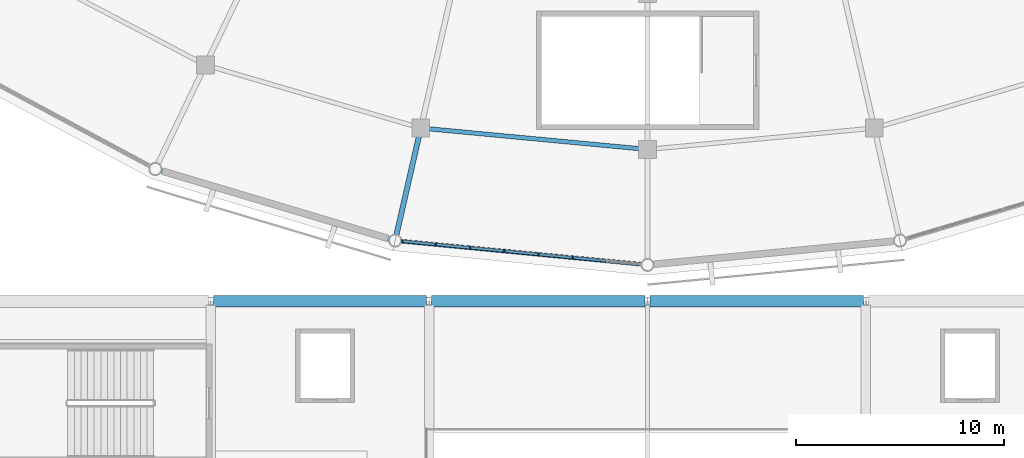
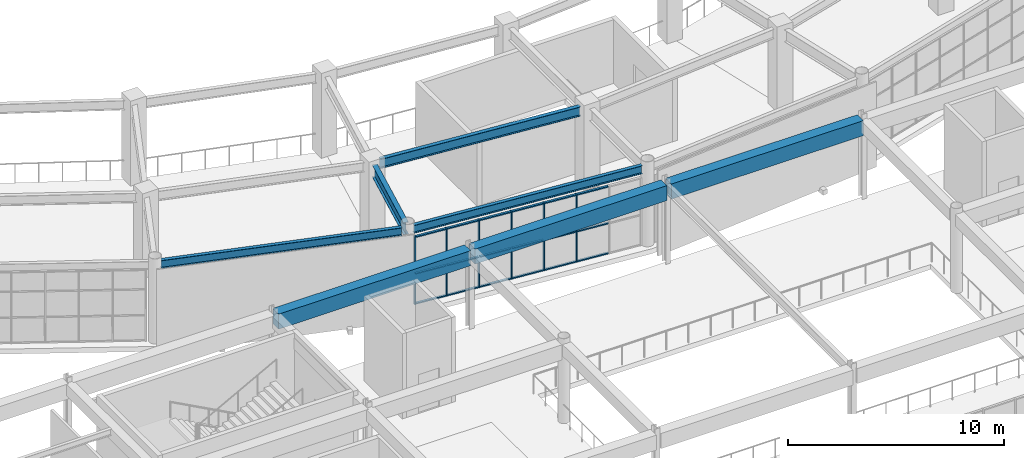
# One storey, part 27 of 112: 24 members, 7 beams, 1 element without a shape of its own.
"""IFC4 building model written with IfcOpenShell, lengths in metres."""

from ifc_helpers import new_model, si_unit, direction, frame, origin, origin_2d, place, context, subcontext, project, spatial, rectangle, i_section, extrude, material, material_profile, profile_set, type_object, element, aggregate, save


model = new_model("IFC4")

# Units and contexts
model_context = context("Model", 3, precision=1e-05, world=origin(), true_north=direction((0.0, 1.0)))
body_context = subcontext(model_context, "Body", "Model", "MODEL_VIEW")
ifc_project = project(units=[si_unit("LENGTHUNIT", "METRE"), si_unit("AREAUNIT", "SQUARE_METRE"), si_unit("VOLUMEUNIT", "CUBIC_METRE"), si_unit("PLANEANGLEUNIT", "RADIAN"), si_unit("MASSUNIT", "GRAM", prefix="KILO")], contexts=[model_context])

# Site, building, storey
site_placement = place(None, origin())
site = spatial("IfcSite", under=ifc_project, at=site_placement, CompositionType="ELEMENT")
building_placement = place(site_placement, origin())
building = spatial("IfcBuilding", under=site, at=building_placement, Name="Cuetzalor Civic Arena", CompositionType="ELEMENT")
storey_placement = place(building_placement, frame((0.0, 0.0, 11.39990234375)))
storey = spatial("IfcBuildingStorey", under=building, at=storey_placement, Name="L02", CompositionType="ELEMENT", Elevation=11.39990234375)

# Beams
ifc_material_1 = material(Name="Concrete C40/50", Category="concrete")
ifc_material_profile_1 = material_profile(ifc_material_1, rectangle(XDim=0.550048828125, YDim=0.85009765625, at=origin_2d()), Name="RC 550x850")
ifc_profile_set_1 = profile_set([ifc_material_profile_1], Name="Concrete C40/50")
beam_type_1 = type_object("IfcBeamType", Name="ConcreteFrameBeam_550x850", PredefinedType="BEAM", material=ifc_profile_set_1)
for number, where, z_axis, x_axis, name in (
    (1, (-20.881591796875, -48.300048828125, 4.09521484375), (1.0, 0.0, 0.0), (0.0, 1.0, 0.0), "Frame Girder V3-L02-X0595"),
    (2, (-10.381591796875, -48.300048828125, 4.09521484375), (1.0, 0.0, 0.0), (0.0, 1.0, 0.0), "Frame Girder V3-L02-X0596"),
    (3, (0.118408203125, -48.300048828125, 4.09521484375), (1.0, 0.0, 0.0), (0.0, 1.0, 0.0), "Frame Girder V3-L02-X0597"),
):
    element("IfcBeam", number, at=place(storey_placement, frame(where, z_axis=z_axis, x_axis=x_axis)), inside=storey, type_object=beam_type_1, Name=name, PredefinedType="BEAM", context=body_context, shape_type="SweptSolid", body=[
        extrude(rectangle(XDim=0.550048828125, YDim=0.85009765625, at=origin_2d()), origin(), (0.0, 0.0, 1.0), 10.26318359375),
    ])

# Curtain wall, members
ifc_material_2 = material(Name="Anodised dark bronze aluminium and low-E solar glass", Category="aluminium")
curtain_wall_type = type_object("IfcCurtainWallType", Name="UnitisedCW_11550x3850", PredefinedType="USERDEFINED", material=ifc_material_2)
curtain_wall_placement = place(storey_placement, origin())
curtain_wall = element("IfcCurtainWall", 4, at=curtain_wall_placement, inside=storey, type_object=curtain_wall_type, Name="Drum Triangle Foyer Curtain Wall L02-041", ObjectType="UNITISED CURTAIN WALL", PredefinedType="USERDEFINED")
ifc_material_3 = material(Name="Anodised dark bronze aluminium", Category="aluminium")
ifc_material_profile_2 = material_profile(ifc_material_3, rectangle(XDim=0.06494140625, YDim=0.14990234375, at=origin_2d()), Name="ALU MULLION 65x150")
ifc_profile_set_2 = profile_set([ifc_material_profile_2], Name="Anodised dark bronze aluminium")
member_type_1 = type_object("IfcMemberType", Name="CurtainWallMullion_60x150", PredefinedType="MULLION", material=ifc_profile_set_2)
member_1_placement = place(storey_placement, frame((-3.602294921875, -46.20361328125, 0.0), z_axis=(0.0, 0.0, 1.0), x_axis=(-0.995409139996, 0.095711253324, 0.0)))
member_1 = element("IfcMember", 5, at=member_1_placement, type_object=member_type_1, Name="CW-14 mullion 3", PredefinedType="MULLION", context=body_context, shape_type="SweptSolid", body=[
    extrude(rectangle(XDim=0.06494140625, YDim=0.14990234375, at=origin_2d()), origin(), (0.0, 0.0, 1.0), 3.83203125),
])
member_2_placement = place(storey_placement, frame((-5.2470703125, -46.04541015625, 0.0), z_axis=(0.0, 0.0, 1.0), x_axis=(-0.995409139996, 0.095711253324, 0.0)))
member_2 = element("IfcMember", 6, at=member_2_placement, type_object=member_type_1, Name="CW-14 mullion 4", PredefinedType="MULLION", context=body_context, shape_type="SweptSolid", body=[
    extrude(rectangle(XDim=0.06494140625, YDim=0.14990234375, at=origin_2d()), origin(), (0.0, 0.0, 1.0), 3.83203125),
])
member_3_placement = place(storey_placement, frame((-6.8916015625, -45.887451171875, 0.0), z_axis=(0.0, 0.0, 1.0), x_axis=(-0.995409139996, 0.095711253324, 0.0)))
member_3 = element("IfcMember", 7, at=member_3_placement, type_object=member_type_1, Name="CW-14 mullion 5", PredefinedType="MULLION", context=body_context, shape_type="SweptSolid", body=[
    extrude(rectangle(XDim=0.06494140625, YDim=0.14990234375, at=origin_2d()), origin(), (0.0, 0.0, 1.0), 3.83203125),
])
member_4_placement = place(storey_placement, frame((-8.5361328125, -45.729248046875, 0.0), z_axis=(0.0, 0.0, 1.0), x_axis=(-0.995409139996, 0.095711253324, 0.0)))
member_4 = element("IfcMember", 8, at=member_4_placement, type_object=member_type_1, Name="CW-14 mullion 6", PredefinedType="MULLION", context=body_context, shape_type="SweptSolid", body=[
    extrude(rectangle(XDim=0.06494140625, YDim=0.14990234375, at=origin_2d()), origin(), (0.0, 0.0, 1.0), 3.83203125),
])
member_5_placement = place(storey_placement, frame((-10.1806640625, -45.571044921875, 0.0), z_axis=(0.0, 0.0, 1.0), x_axis=(-0.995409139996, 0.095711253324, 0.0)))
member_5 = element("IfcMember", 9, at=member_5_placement, type_object=member_type_1, Name="CW-14 mullion 7", PredefinedType="MULLION", context=body_context, shape_type="SweptSolid", body=[
    extrude(rectangle(XDim=0.06494140625, YDim=0.14990234375, at=origin_2d()), origin(), (0.0, 0.0, 1.0), 3.83203125),
])
member_6_placement = place(storey_placement, frame((-11.79296875, -45.416015625, 0.0), z_axis=(0.0, 0.0, 1.0), x_axis=(-0.995409139996, 0.095711253324, 0.0)))
member_6 = element("IfcMember", 10, at=member_6_placement, type_object=member_type_1, Name="CW-14 mullion 8", PredefinedType="MULLION", context=body_context, shape_type="SweptSolid", body=[
    extrude(rectangle(XDim=0.06494140625, YDim=0.14990234375, at=origin_2d()), origin(), (0.0, 0.0, 1.0), 3.83203125),
])
ifc_material_4 = material(Name="Anodised dark bronze aluminium", Category="aluminium")
ifc_material_profile_3 = material_profile(ifc_material_4, rectangle(XDim=0.1201171875, YDim=0.06494140625, at=origin_2d()), Name="ALU TRANSOM 65x120")
ifc_profile_set_3 = profile_set([ifc_material_profile_3], Name="Anodised dark bronze aluminium")
member_type_2 = type_object("IfcMemberType", Name="CurtainWallTransom_60x120", PredefinedType="USERDEFINED", material=ifc_profile_set_3)
member_7_placement = place(storey_placement, frame((-1.990234375, -46.358642578125, 0.03271484375), z_axis=(-0.995412128785, 0.095680164442, 0.0), x_axis=(-0.095680164442, -0.995412128785, 0.0)))
member_7 = element("IfcMember", 11, at=member_7_placement, type_object=member_type_2, Name="CW-14 transom 2.1", ObjectType="TRANSOM", PredefinedType="USERDEFINED", context=body_context, shape_type="SweptSolid", body=[
    extrude(rectangle(XDim=0.1201171875, YDim=0.06494140625, at=origin_2d()), origin(), (0.0, 0.0, 1.0), 1.587158203125),
])
member_8_placement = place(storey_placement, frame((-1.990234375, -46.358642578125, 1.72412109375), z_axis=(-0.995412128785, 0.095680164442, 0.0), x_axis=(-0.095680164442, -0.995412128785, 0.0)))
member_8 = element("IfcMember", 12, at=member_8_placement, type_object=member_type_2, Name="CW-14 transom 2.2", ObjectType="TRANSOM", PredefinedType="USERDEFINED", context=body_context, shape_type="SweptSolid", body=[
    extrude(rectangle(XDim=0.1201171875, YDim=0.06494140625, at=origin_2d()), origin(), (0.0, 0.0, 1.0), 1.587158203125),
])
member_9_placement = place(storey_placement, frame((-1.990234375, -46.358642578125, 3.799560546875), z_axis=(-0.995412128785, 0.095680164442, 0.0), x_axis=(-0.095680164442, -0.995412128785, 0.0)))
member_9 = element("IfcMember", 13, at=member_9_placement, type_object=member_type_2, Name="CW-14 transom 2.3", ObjectType="TRANSOM", PredefinedType="USERDEFINED", context=body_context, shape_type="SweptSolid", body=[
    extrude(rectangle(XDim=0.1201171875, YDim=0.06494140625, at=origin_2d()), origin(), (0.0, 0.0, 1.0), 1.587158203125),
])
member_10_placement = place(storey_placement, frame((-3.634765625, -46.200439453125, 0.03271484375), z_axis=(-0.995412128785, 0.095680164442, 0.0), x_axis=(-0.095680164442, -0.995412128785, 0.0)))
member_10 = element("IfcMember", 14, at=member_10_placement, type_object=member_type_2, Name="CW-14 transom 3.1", ObjectType="TRANSOM", PredefinedType="USERDEFINED", context=body_context, shape_type="SweptSolid", body=[
    extrude(rectangle(XDim=0.1201171875, YDim=0.06494140625, at=origin_2d()), origin(), (0.0, 0.0, 1.0), 1.587158203125),
])
member_11_placement = place(storey_placement, frame((-3.634765625, -46.200439453125, 1.72412109375), z_axis=(-0.995412128785, 0.095680164442, 0.0), x_axis=(-0.095680164442, -0.995412128785, 0.0)))
member_11 = element("IfcMember", 15, at=member_11_placement, type_object=member_type_2, Name="CW-14 transom 3.2", ObjectType="TRANSOM", PredefinedType="USERDEFINED", context=body_context, shape_type="SweptSolid", body=[
    extrude(rectangle(XDim=0.1201171875, YDim=0.06494140625, at=origin_2d()), origin(), (0.0, 0.0, 1.0), 1.587158203125),
])
member_12_placement = place(storey_placement, frame((-3.634765625, -46.200439453125, 3.799560546875), z_axis=(-0.995412128785, 0.095680164442, 0.0), x_axis=(-0.095680164442, -0.995412128785, 0.0)))
member_12 = element("IfcMember", 16, at=member_12_placement, type_object=member_type_2, Name="CW-14 transom 3.3", ObjectType="TRANSOM", PredefinedType="USERDEFINED", context=body_context, shape_type="SweptSolid", body=[
    extrude(rectangle(XDim=0.1201171875, YDim=0.06494140625, at=origin_2d()), origin(), (0.0, 0.0, 1.0), 1.587158203125),
])
member_13_placement = place(storey_placement, frame((-5.279296875, -46.04248046875, 0.03271484375), z_axis=(-0.9953974667, 0.095832579471, 0.0), x_axis=(-0.095832579471, -0.9953974667, 0.0)))
member_13 = element("IfcMember", 17, at=member_13_placement, type_object=member_type_2, Name="CW-14 transom 4.1", ObjectType="TRANSOM", PredefinedType="USERDEFINED", context=body_context, shape_type="SweptSolid", body=[
    extrude(rectangle(XDim=0.1201171875, YDim=0.06494140625, at=origin_2d()), origin(), (0.0, 0.0, 1.0), 1.587158203125),
])
member_14_placement = place(storey_placement, frame((-5.279296875, -46.04248046875, 1.72412109375), z_axis=(-0.9953974667, 0.095832579471, 0.0), x_axis=(-0.095832579471, -0.9953974667, 0.0)))
member_14 = element("IfcMember", 18, at=member_14_placement, type_object=member_type_2, Name="CW-14 transom 4.2", ObjectType="TRANSOM", PredefinedType="USERDEFINED", context=body_context, shape_type="SweptSolid", body=[
    extrude(rectangle(XDim=0.1201171875, YDim=0.06494140625, at=origin_2d()), origin(), (0.0, 0.0, 1.0), 1.587158203125),
])
member_15_placement = place(storey_placement, frame((-5.279296875, -46.04248046875, 3.799560546875), z_axis=(-0.9953974667, 0.095832579471, 0.0), x_axis=(-0.095832579471, -0.9953974667, 0.0)))
member_15 = element("IfcMember", 19, at=member_15_placement, type_object=member_type_2, Name="CW-14 transom 4.3", ObjectType="TRANSOM", PredefinedType="USERDEFINED", context=body_context, shape_type="SweptSolid", body=[
    extrude(rectangle(XDim=0.1201171875, YDim=0.06494140625, at=origin_2d()), origin(), (0.0, 0.0, 1.0), 1.587158203125),
])
member_16_placement = place(storey_placement, frame((-6.923828125, -45.88427734375, 0.03271484375), z_axis=(-0.995412128785, 0.095680164442, 0.0), x_axis=(-0.095680164442, -0.995412128785, 0.0)))
member_16 = element("IfcMember", 20, at=member_16_placement, type_object=member_type_2, Name="CW-14 transom 5.1", ObjectType="TRANSOM", PredefinedType="USERDEFINED", context=body_context, shape_type="SweptSolid", body=[
    extrude(rectangle(XDim=0.1201171875, YDim=0.06494140625, at=origin_2d()), origin(), (0.0, 0.0, 1.0), 1.587158203125),
])
member_17_placement = place(storey_placement, frame((-6.923828125, -45.88427734375, 1.72412109375), z_axis=(-0.995412128785, 0.095680164442, 0.0), x_axis=(-0.095680164442, -0.995412128785, 0.0)))
member_17 = element("IfcMember", 21, at=member_17_placement, type_object=member_type_2, Name="CW-14 transom 5.2", ObjectType="TRANSOM", PredefinedType="USERDEFINED", context=body_context, shape_type="SweptSolid", body=[
    extrude(rectangle(XDim=0.1201171875, YDim=0.06494140625, at=origin_2d()), origin(), (0.0, 0.0, 1.0), 1.587158203125),
])
member_18_placement = place(storey_placement, frame((-6.923828125, -45.88427734375, 3.799560546875), z_axis=(-0.995412128785, 0.095680164442, 0.0), x_axis=(-0.095680164442, -0.995412128785, 0.0)))
member_18 = element("IfcMember", 22, at=member_18_placement, type_object=member_type_2, Name="CW-14 transom 5.3", ObjectType="TRANSOM", PredefinedType="USERDEFINED", context=body_context, shape_type="SweptSolid", body=[
    extrude(rectangle(XDim=0.1201171875, YDim=0.06494140625, at=origin_2d()), origin(), (0.0, 0.0, 1.0), 1.587158203125),
])
member_19_placement = place(storey_placement, frame((-8.568359375, -45.72607421875, 0.03271484375), z_axis=(-0.995412128785, 0.095680164442, 0.0), x_axis=(-0.095680164442, -0.995412128785, 0.0)))
member_19 = element("IfcMember", 23, at=member_19_placement, type_object=member_type_2, Name="CW-14 transom 6.1", ObjectType="TRANSOM", PredefinedType="USERDEFINED", context=body_context, shape_type="SweptSolid", body=[
    extrude(rectangle(XDim=0.1201171875, YDim=0.06494140625, at=origin_2d()), origin(), (0.0, 0.0, 1.0), 1.587158203125),
])
member_20_placement = place(storey_placement, frame((-8.568359375, -45.72607421875, 1.72412109375), z_axis=(-0.995412128785, 0.095680164442, 0.0), x_axis=(-0.095680164442, -0.995412128785, 0.0)))
member_20 = element("IfcMember", 24, at=member_20_placement, type_object=member_type_2, Name="CW-14 transom 6.2", ObjectType="TRANSOM", PredefinedType="USERDEFINED", context=body_context, shape_type="SweptSolid", body=[
    extrude(rectangle(XDim=0.1201171875, YDim=0.06494140625, at=origin_2d()), origin(), (0.0, 0.0, 1.0), 1.587158203125),
])
member_21_placement = place(storey_placement, frame((-8.568359375, -45.72607421875, 3.799560546875), z_axis=(-0.995412128785, 0.095680164442, 0.0), x_axis=(-0.095680164442, -0.995412128785, 0.0)))
member_21 = element("IfcMember", 25, at=member_21_placement, type_object=member_type_2, Name="CW-14 transom 6.3", ObjectType="TRANSOM", PredefinedType="USERDEFINED", context=body_context, shape_type="SweptSolid", body=[
    extrude(rectangle(XDim=0.1201171875, YDim=0.06494140625, at=origin_2d()), origin(), (0.0, 0.0, 1.0), 1.587158203125),
])
member_22_placement = place(storey_placement, frame((-10.212890625, -45.568115234375, 0.03271484375), z_axis=(-0.995401833719, 0.095787209113, 0.0), x_axis=(-0.095787209113, -0.995401833719, 0.0)))
member_22 = element("IfcMember", 26, at=member_22_placement, type_object=member_type_2, Name="CW-14 transom 7.1", ObjectType="TRANSOM", PredefinedType="USERDEFINED", context=body_context, shape_type="SweptSolid", body=[
    extrude(rectangle(XDim=0.1201171875, YDim=0.06494140625, at=origin_2d()), origin(), (0.0, 0.0, 1.0), 1.5546875),
])
member_23_placement = place(storey_placement, frame((-10.212890625, -45.568115234375, 1.72412109375), z_axis=(-0.995401833719, 0.095787209113, 0.0), x_axis=(-0.095787209113, -0.995401833719, 0.0)))
member_23 = element("IfcMember", 27, at=member_23_placement, type_object=member_type_2, Name="CW-14 transom 7.2", ObjectType="TRANSOM", PredefinedType="USERDEFINED", context=body_context, shape_type="SweptSolid", body=[
    extrude(rectangle(XDim=0.1201171875, YDim=0.06494140625, at=origin_2d()), origin(), (0.0, 0.0, 1.0), 1.5546875),
])
member_24_placement = place(storey_placement, frame((-10.212890625, -45.568115234375, 3.799560546875), z_axis=(-0.995401833719, 0.095787209113, 0.0), x_axis=(-0.095787209113, -0.995401833719, 0.0)))
member_24 = element("IfcMember", 28, at=member_24_placement, type_object=member_type_2, Name="CW-14 transom 7.3", ObjectType="TRANSOM", PredefinedType="USERDEFINED", context=body_context, shape_type="SweptSolid", body=[
    extrude(rectangle(XDim=0.1201171875, YDim=0.06494140625, at=origin_2d()), origin(), (0.0, 0.0, 1.0), 1.5546875),
])
aggregate(curtain_wall, [member_1, member_2, member_3, member_4, member_5, member_6, member_7, member_8, member_9, member_10, member_11, member_12, member_13, member_14, member_15, member_16, member_17, member_18, member_19, member_20, member_21, member_22, member_23, member_24])

# Beams
ifc_material_5 = material(Name="Steel S355", Category="steel")
ifc_material_profile_4 = material_profile(ifc_material_5, i_section(OverallWidth=0.18994140625, OverallDepth=0.45703125, WebThickness=0.009033203125, FlangeThickness=0.014404296875, at=origin_2d()), Name="W460x74")
ifc_profile_set_4 = profile_set([ifc_material_profile_4], Name="Steel S355")
beam_type_2 = type_object("IfcBeamType", Name="FacadeSpandrelBeam_W460", PredefinedType="SPANDREL", material=ifc_profile_set_4)
beam_1_placement = place(storey_placement, frame((-23.390380859375, -42.023193359375, 4.29150390625), z_axis=(0.958199215373, -0.28610184141, 0.0), x_axis=(0.28610184141, 0.958199215373, 0.0)))
element("IfcBeam", 29, at=beam_1_placement, inside=storey, type_object=beam_type_2, Name="Drum Perimeter Spandrel L02-S20", PredefinedType="SPANDREL", context=body_context, shape_type="SweptSolid", body=[
    extrude(i_section(OverallWidth=0.18994140625, OverallDepth=0.45703125, WebThickness=0.009033203125, FlangeThickness=0.014404296875, at=origin_2d()), origin(), (0.0, 0.0, 1.0), 11.45263671875),
])
beam_2_placement = place(storey_placement, frame((-11.849853515625, -45.41064453125, 4.29150390625), z_axis=(0.995409568272, -0.095706799095, 0.0), x_axis=(0.095706799095, 0.995409568272, 0.0)))
element("IfcBeam", 30, at=beam_2_placement, inside=storey, type_object=beam_type_2, Name="Drum Perimeter Spandrel L02-S21", PredefinedType="SPANDREL", context=body_context, shape_type="SweptSolid", body=[
    extrude(i_section(OverallWidth=0.18994140625, OverallDepth=0.45703125, WebThickness=0.009033203125, FlangeThickness=0.014404296875, at=origin_2d()), origin(), (0.0, 0.0, 1.0), 11.6142578125),
])
ifc_material_6 = material(Name="Steel S355", Category="steel")
ifc_material_profile_5 = material_profile(ifc_material_6, i_section(OverallWidth=0.208984375, OverallDepth=0.532958984375, WebThickness=0.01025390625, FlangeThickness=0.015625, at=origin_2d()), Name="W530x92")
ifc_profile_set_5 = profile_set([ifc_material_profile_5], Name="Steel S355")
beam_type_3 = type_object("IfcBeamType", Name="SteelCollarGirder_W530", PredefinedType="BEAM", material=ifc_profile_set_5)
beam_3_placement = place(storey_placement, frame((-10.53515625, -40.006591796875, 4.253662109375), z_axis=(0.995583045118, -0.093885037538, 0.0), x_axis=(0.093885037538, 0.995583045118, 0.0)))
element("IfcBeam", 31, at=beam_3_placement, inside=storey, type_object=beam_type_3, Name="Drum Concourse Ring Girder L02-S21", PredefinedType="BEAM", context=body_context, shape_type="SweptSolid", body=[
    extrude(i_section(OverallWidth=0.208984375, OverallDepth=0.532958984375, WebThickness=0.01025390625, FlangeThickness=0.015625, at=origin_2d()), origin(), (0.0, 0.0, 1.0), 10.2119140625),
])
ifc_material_7 = material(Name="Steel S355", Category="steel")
ifc_material_profile_6 = material_profile(ifc_material_7, i_section(OverallWidth=0.2529296875, OverallDepth=0.677978515625, WebThickness=0.01171875, FlangeThickness=0.016357421875, at=origin_2d()), Name="W690x125")
ifc_profile_set_6 = profile_set([ifc_material_profile_6], Name="Steel S355")
beam_type_4 = type_object("IfcBeamType", Name="SteelPrimaryGirder_W690", PredefinedType="BEAM", material=ifc_profile_set_6)
beam_4_placement = place(storey_placement, frame((-10.983642578125, -40.322998046875, 4.18115234375), z_axis=(-0.222519036633, -0.974928345231, 0.0), x_axis=(0.974928345231, -0.222519036633, 0.0)))
element("IfcBeam", 32, at=beam_4_placement, inside=storey, type_object=beam_type_4, Name="Drum Radial Girder L02-R21", PredefinedType="BEAM", context=body_context, shape_type="SweptSolid", body=[
    extrude(i_section(OverallWidth=0.2529296875, OverallDepth=0.677978515625, WebThickness=0.01171875, FlangeThickness=0.016357421875, at=origin_2d()), origin(), (0.0, 0.0, 1.0), 4.89990234375),
])

save(model, "model.ifc")
